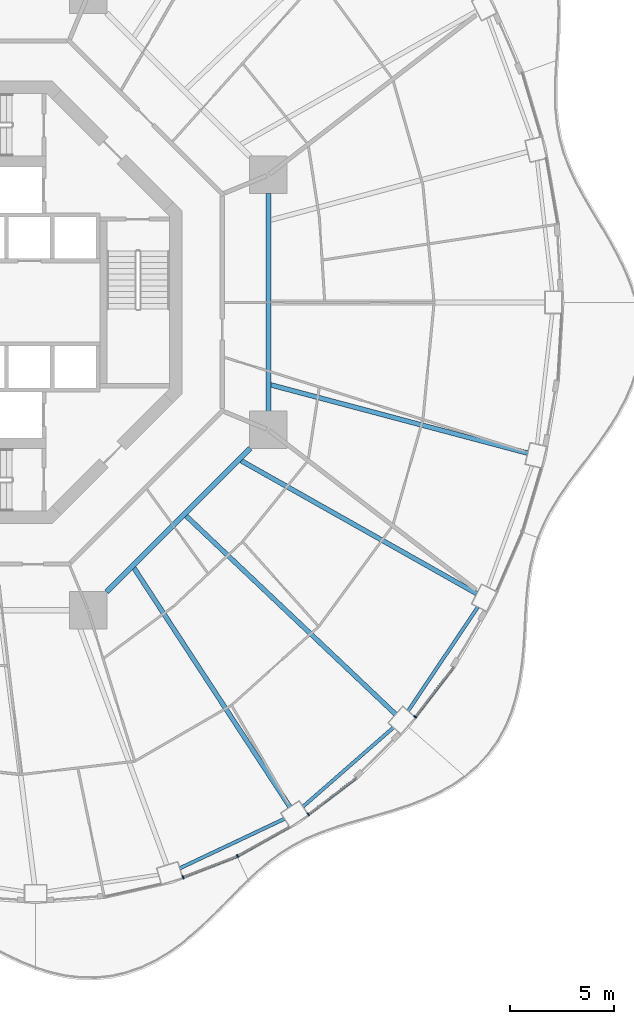
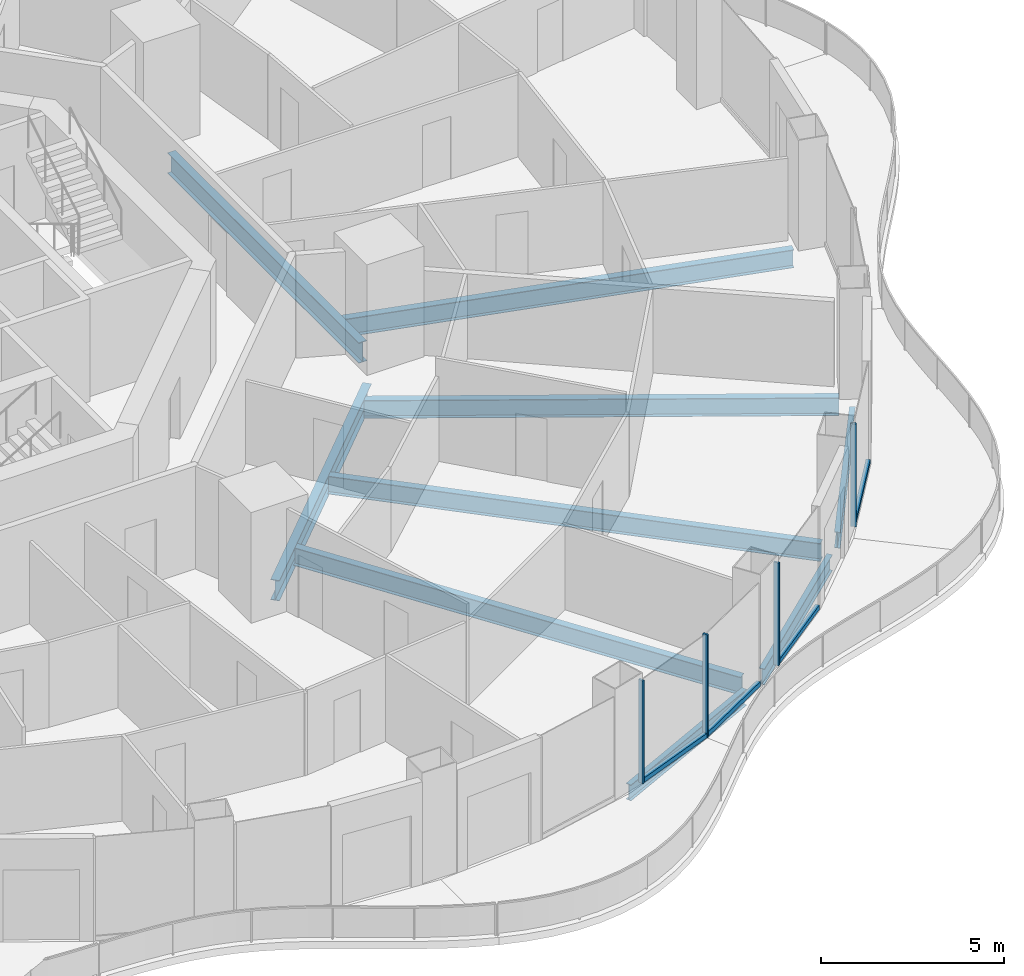
# One storey, part 4 of 19: 9 beams, 8 members, 4 elements without a shape of their own.
"""IFC4 building model written with IfcOpenShell, lengths in metres."""

from ifc_helpers import new_model, si_unit, direction, frame, origin, origin_2d, place, context, subcontext, project, spatial, rectangle, i_section, extrude, material, layer, layer_set, material_profile, profile_set, type_object, element, aggregate, save


model = new_model("IFC4")

# Units and contexts
model_context = context("Model", 3, precision=1e-05, world=origin(), true_north=direction((0.0, 1.0)))
body_context = subcontext(model_context, "Body", "Model", "MODEL_VIEW")
ifc_project = project(units=[si_unit("LENGTHUNIT", "METRE"), si_unit("AREAUNIT", "SQUARE_METRE"), si_unit("VOLUMEUNIT", "CUBIC_METRE"), si_unit("PLANEANGLEUNIT", "RADIAN"), si_unit("MASSUNIT", "GRAM", prefix="KILO")], contexts=[model_context])

# Site, building, storey
site_placement = place(None, origin())
site = spatial("IfcSite", under=ifc_project, at=site_placement, CompositionType="ELEMENT")
building_placement = place(site_placement, origin())
building = spatial("IfcBuilding", under=site, at=building_placement, Name="Nagisa Residences", CompositionType="ELEMENT")
storey_placement = place(building_placement, frame((0.0, 0.0, 180.699951171875)))
storey = spatial("IfcBuildingStorey", under=building, at=storey_placement, Name="L45", CompositionType="ELEMENT", Elevation=180.699951171875)

# Curtain wall, member
ifc_material_1 = material(Name="Concrete-coloured aluminium curtain wall system", Category="concrete")
ifc_layer = layer(ifc_material_1, 0.159912109375)
ifc_layer_set = layer_set([ifc_layer], Name="CW1 CURTAIN WALL")
curtain_wall_type = type_object("IfcCurtainWallType", Name="CW1 CURTAIN WALL", PredefinedType="NOTDEFINED", material=ifc_layer_set)
curtain_wall_1_placement = place(storey_placement, origin())
curtain_wall_1 = element("IfcCurtainWall", 1, at=curtain_wall_1_placement, inside=storey, type_object=curtain_wall_type, Name="cw:CW1:L45:38", PredefinedType="NOTDEFINED")
ifc_material_2 = material(Name="Concrete-coloured aluminium", Category="concrete")
ifc_material_profile_1 = material_profile(ifc_material_2, rectangle(XDim=0.159912109375, YDim=0.06005859375, at=origin_2d()), Name="CW1 MULLION 160x60")
ifc_profile_set_1 = profile_set([ifc_material_profile_1], Name="Concrete-coloured aluminium")
member_type_1 = type_object("IfcMemberType", Name="CW1 MULLION 160x60", PredefinedType="MULLION", material=ifc_profile_set_1)
member_1_placement = place(storey_placement, frame((10.6796875, -27.607421875, 0.0), z_axis=(0.0, 0.0, 1.0), x_axis=(-0.360327770268, 0.932825759707, 0.0)))
member_1 = element("IfcMember", 2, at=member_1_placement, type_object=member_type_1, Name="CW1 mullion", PredefinedType="MULLION", context=body_context, shape_type="SweptSolid", body=[
    extrude(rectangle(XDim=0.159912109375, YDim=0.06005859375, at=origin_2d()), origin(), (0.0, 0.0, 1.0), 3.43994140625),
])

curtain_wall_2_placement = place(storey_placement, origin())
curtain_wall_2 = element("IfcCurtainWall", 3, at=curtain_wall_2_placement, inside=storey, type_object=curtain_wall_type, Name="cw:CW1:L45:39", PredefinedType="NOTDEFINED")
member_2_placement = place(storey_placement, frame((13.297607421875, -26.592529296875, 0.0), z_axis=(0.0, 0.0, 1.0), x_axis=(-0.489376918501, 0.872072377523, 0.0)))
member_2 = element("IfcMember", 4, at=member_2_placement, type_object=member_type_1, Name="CW1 mullion", PredefinedType="MULLION", context=body_context, shape_type="SweptSolid", body=[
    extrude(rectangle(XDim=0.159912109375, YDim=0.06005859375, at=origin_2d()), origin(), (0.0, 0.0, 1.0), 3.43994140625),
])

curtain_wall_3_placement = place(storey_placement, origin())
curtain_wall_3 = element("IfcCurtainWall", 5, at=curtain_wall_3_placement, inside=storey, type_object=curtain_wall_type, Name="cw:CW1:L45:40", PredefinedType="NOTDEFINED")
member_3_placement = place(storey_placement, frame((16.70068359375, -24.591796875, 0.0), z_axis=(0.0, 0.0, 1.0), x_axis=(-0.605255421737, 0.79603132756, 0.0)))
member_3 = element("IfcMember", 6, at=member_3_placement, type_object=member_type_1, Name="CW1 mullion", PredefinedType="MULLION", context=body_context, shape_type="SweptSolid", body=[
    extrude(rectangle(XDim=0.159912109375, YDim=0.06005859375, at=origin_2d()), origin(), (0.0, 0.0, 1.0), 3.43994140625),
])

curtain_wall_4_placement = place(storey_placement, origin())
curtain_wall_4 = element("IfcCurtainWall", 7, at=curtain_wall_4_placement, inside=storey, type_object=curtain_wall_type, Name="cw:CW1:L45:42", PredefinedType="NOTDEFINED")
member_4_placement = place(storey_placement, frame((21.83349609375, -19.909423828125, 0.0), z_axis=(0.0, 0.0, 1.0), x_axis=(-0.792070340816, 0.610429828235, 0.0)))
member_4 = element("IfcMember", 8, at=member_4_placement, type_object=member_type_1, Name="CW1 mullion", PredefinedType="MULLION", context=body_context, shape_type="SweptSolid", body=[
    extrude(rectangle(XDim=0.159912109375, YDim=0.06005859375, at=origin_2d()), origin(), (0.0, 0.0, 1.0), 3.43994140625),
])

# Member
ifc_material_3 = material(Name="Concrete-coloured aluminium", Category="concrete")
ifc_material_profile_2 = material_profile(ifc_material_3, rectangle(XDim=0.1201171875, YDim=0.14990234375, at=origin_2d()), Name="CW1 TRANSOM 120x150")
ifc_profile_set_2 = profile_set([ifc_material_profile_2], Name="Concrete-coloured aluminium")
member_type_2 = type_object("IfcMemberType", Name="CW1 TRANSOM 120x150", PredefinedType="USERDEFINED", material=ifc_profile_set_2)
member_5_placement = place(storey_placement, frame((10.65185546875, -27.618408203125, 0.074951171875), z_axis=(0.932795487898, 0.360406128911, 0.0), x_axis=(-0.360406128911, 0.932795487898, 0.0)))
member_5 = element("IfcMember", 9, at=member_5_placement, type_object=member_type_2, Name="CW1 transom", ObjectType="TRANSOM", PredefinedType="USERDEFINED", context=body_context, shape_type="SweptSolid", body=[
    extrude(rectangle(XDim=0.1201171875, YDim=0.14990234375, at=origin_2d()), origin(), (0.0, 0.0, 1.0), 2.8193359375),
])

aggregate(curtain_wall_1, [member_1, member_5])

member_6_placement = place(storey_placement, frame((13.271484375, -26.607177734375, 0.074951171875), z_axis=(0.872078262455, 0.489366431371, 0.0), x_axis=(-0.489366431371, 0.872078262455, 0.0)))
member_6 = element("IfcMember", 10, at=member_6_placement, type_object=member_type_2, Name="CW1 transom", ObjectType="TRANSOM", PredefinedType="USERDEFINED", context=body_context, shape_type="SweptSolid", body=[
    extrude(rectangle(XDim=0.1201171875, YDim=0.14990234375, at=origin_2d()), origin(), (0.0, 0.0, 1.0), 2.863525390625),
])

aggregate(curtain_wall_2, [member_2, member_6])

member_7_placement = place(storey_placement, frame((16.677001953125, -24.60986328125, 0.074951171875), z_axis=(0.796025072301, 0.60526364856, 0.0), x_axis=(-0.60526364856, 0.796025072301, 0.0)))
member_7 = element("IfcMember", 11, at=member_7_placement, type_object=member_type_2, Name="CW1 transom", ObjectType="TRANSOM", PredefinedType="USERDEFINED", context=body_context, shape_type="SweptSolid", body=[
    extrude(rectangle(XDim=0.1201171875, YDim=0.14990234375, at=origin_2d()), origin(), (0.0, 0.0, 1.0), 2.916748046875),
])

aggregate(curtain_wall_3, [member_3, member_7])

member_8_placement = place(storey_placement, frame((21.815185546875, -19.933349609375, 0.074951171875), z_axis=(0.610398538814, 0.792094453846, 0.0), x_axis=(-0.792094453846, 0.610398538814, 0.0)))
member_8 = element("IfcMember", 12, at=member_8_placement, type_object=member_type_2, Name="CW1 transom", ObjectType="TRANSOM", PredefinedType="USERDEFINED", context=body_context, shape_type="SweptSolid", body=[
    extrude(rectangle(XDim=0.1201171875, YDim=0.14990234375, at=origin_2d()), origin(), (0.0, 0.0, 1.0), 3.035400390625),
])

aggregate(curtain_wall_4, [member_4, member_8])

# Beams
ifc_material_4 = material(Name="Steel ASTM A572 Gr 50", Category="steel")
ifc_material_profile_3 = material_profile(ifc_material_4, i_section(OverallWidth=0.25390625, OverallDepth=0.68408203125, WebThickness=0.012451171875, FlangeThickness=0.018798828125, at=origin_2d()), Name="W690x140")
ifc_profile_set_3 = profile_set([ifc_material_profile_3], Name="Steel ASTM A572 Gr 50")
beam_type_1 = type_object("IfcBeamType", Name="Inner ring beam W690x140", PredefinedType="BEAM", material=ifc_profile_set_3)
beam_1_placement = place(storey_placement, frame((7.0087890625, -13.896240234375, -0.60205078125), z_axis=(0.707106781187, 0.707106781187, 0.0), x_axis=(-0.707106781187, 0.707106781187, 0.0)))
element("IfcBeam", 13, at=beam_1_placement, inside=storey, type_object=beam_type_1, Name="beam:L45:ib7", PredefinedType="BEAM", context=body_context, shape_type="SweptSolid", body=[
    extrude(i_section(OverallWidth=0.25390625, OverallDepth=0.68408203125, WebThickness=0.012451171875, FlangeThickness=0.018798828125, at=origin_2d()), origin(), (0.0, 0.0, 1.0), 9.740234375),
])
beam_2_placement = place(storey_placement, frame((14.781982421875, -5.242919921875, -0.60205078125), z_axis=(0.0, 1.0, 0.0), x_axis=(-1.0, 0.0, 0.0)))
element("IfcBeam", 14, at=beam_2_placement, inside=storey, type_object=beam_type_1, Name="beam:L45:ib8", PredefinedType="BEAM", context=body_context, shape_type="SweptSolid", body=[
    extrude(i_section(OverallWidth=0.25390625, OverallDepth=0.68408203125, WebThickness=0.012451171875, FlangeThickness=0.018798828125, at=origin_2d()), origin(), (0.0, 0.0, 1.0), 10.48583984375),
])
ifc_material_5 = material(Name="Steel ASTM A572 Gr 50", Category="steel")
ifc_material_profile_4 = material_profile(ifc_material_5, i_section(OverallWidth=0.166015625, OverallDepth=0.534912109375, WebThickness=0.01025390625, FlangeThickness=0.0166015625, at=origin_2d()), Name="W530x85")
ifc_profile_set_4 = profile_set([ifc_material_profile_4], Name="Steel ASTM A572 Gr 50")
beam_type_2 = type_object("IfcBeamType", Name="Perimeter ring beam W530x85", PredefinedType="BEAM", material=ifc_profile_set_4)
beam_3_placement = place(storey_placement, frame((10.522705078125, -27.17919921875, -0.52734375), z_axis=(0.904157325884, 0.427199637232, 0.0), x_axis=(-0.427199637232, 0.904157325884, 0.0)))
element("IfcBeam", 15, at=beam_3_placement, inside=storey, type_object=beam_type_2, Name="beam:L45:pb20", PredefinedType="BEAM", context=body_context, shape_type="SweptSolid", body=[
    extrude(i_section(OverallWidth=0.166015625, OverallDepth=0.534912109375, WebThickness=0.01025390625, FlangeThickness=0.0166015625, at=origin_2d()), origin(), (0.0, 0.0, 1.0), 5.56396484375),
])
beam_4_placement = place(storey_placement, frame((16.440185546875, -24.220947265625, -0.52734375), z_axis=(0.752461486776, 0.658636250838, 0.0), x_axis=(-0.658636250838, 0.752461486776, 0.0)))
element("IfcBeam", 16, at=beam_4_placement, inside=storey, type_object=beam_type_2, Name="beam:L45:pb21", PredefinedType="BEAM", context=body_context, shape_type="SweptSolid", body=[
    extrude(i_section(OverallWidth=0.166015625, OverallDepth=0.534912109375, WebThickness=0.01025390625, FlangeThickness=0.0166015625, at=origin_2d()), origin(), (0.0, 0.0, 1.0), 5.776611328125),
])
beam_5_placement = place(storey_placement, frame((21.487548828125, -19.62060546875, -0.52734375), z_axis=(0.558152301307, 0.829738518177, 0.0), x_axis=(-0.829738518177, 0.558152301307, 0.0)))
element("IfcBeam", 17, at=beam_5_placement, inside=storey, type_object=beam_type_2, Name="beam:L45:pb22", PredefinedType="BEAM", context=body_context, shape_type="SweptSolid", body=[
    extrude(i_section(OverallWidth=0.166015625, OverallDepth=0.534912109375, WebThickness=0.01025390625, FlangeThickness=0.0166015625, at=origin_2d()), origin(), (0.0, 0.0, 1.0), 6.013916015625),
])
ifc_material_6 = material(Name="Steel ASTM A572 Gr 50", Category="steel")
ifc_material_profile_5 = material_profile(ifc_material_6, i_section(OverallWidth=0.22802734375, OverallDepth=0.60302734375, WebThickness=0.010498046875, FlangeThickness=0.014892578125, at=origin_2d()), Name="W610x101")
ifc_profile_set_5 = profile_set([ifc_material_profile_5], Name="Steel ASTM A572 Gr 50")
beam_type_3 = type_object("IfcBeamType", Name="Radial beam W610x101", PredefinedType="BEAM", material=ifc_profile_set_5)
beam_6_placement = place(storey_placement, frame((15.816162109375, -24.234375, -0.5615234375), z_axis=(-0.546541244511, 0.837432187135, 0.0), x_axis=(-0.837432187135, -0.546541244511, 0.0)))
element("IfcBeam", 18, at=beam_6_placement, inside=storey, type_object=beam_type_3, Name="beam:L45:rb21", PredefinedType="BEAM", context=body_context, shape_type="SweptSolid", body=[
    extrude(i_section(OverallWidth=0.22802734375, OverallDepth=0.60302734375, WebThickness=0.010498046875, FlangeThickness=0.014892578125, at=origin_2d()), origin(), (0.0, 0.0, 1.0), 13.72412109375),
])
beam_7_placement = place(storey_placement, frame((20.89501953125, -19.785400390625, -0.5615234375), z_axis=(-0.726119962477, 0.687568033064, 0.0), x_axis=(-0.687568033064, -0.726119962477, 0.0)))
element("IfcBeam", 19, at=beam_7_placement, inside=storey, type_object=beam_type_3, Name="beam:L45:rb22", PredefinedType="BEAM", context=body_context, shape_type="SweptSolid", body=[
    extrude(i_section(OverallWidth=0.22802734375, OverallDepth=0.60302734375, WebThickness=0.010498046875, FlangeThickness=0.014892578125, at=origin_2d()), origin(), (0.0, 0.0, 1.0), 13.88134765625),
])
beam_8_placement = place(storey_placement, frame((24.789306640625, -13.98828125, -0.5615234375), z_axis=(-0.870904520395, 0.491452252366, 0.0), x_axis=(-0.491452252366, -0.870904520395, 0.0)))
element("IfcBeam", 20, at=beam_8_placement, inside=storey, type_object=beam_type_3, Name="beam:L45:rb23", PredefinedType="BEAM", context=body_context, shape_type="SweptSolid", body=[
    extrude(i_section(OverallWidth=0.22802734375, OverallDepth=0.60302734375, WebThickness=0.010498046875, FlangeThickness=0.014892578125, at=origin_2d()), origin(), (0.0, 0.0, 1.0), 13.007080078125),
])
beam_9_placement = place(storey_placement, frame((27.23583984375, -7.239990234375, -0.5615234375), z_axis=(-0.966436061719, 0.256907256826, 0.0), x_axis=(-0.256907256826, -0.966436061719, 0.0)))
element("IfcBeam", 21, at=beam_9_placement, inside=storey, type_object=beam_type_3, Name="beam:L45:rb24", PredefinedType="BEAM", context=body_context, shape_type="SweptSolid", body=[
    extrude(i_section(OverallWidth=0.22802734375, OverallDepth=0.60302734375, WebThickness=0.010498046875, FlangeThickness=0.014892578125, at=origin_2d()), origin(), (0.0, 0.0, 1.0), 12.77490234375),
])

save(model, "model.ifc")
